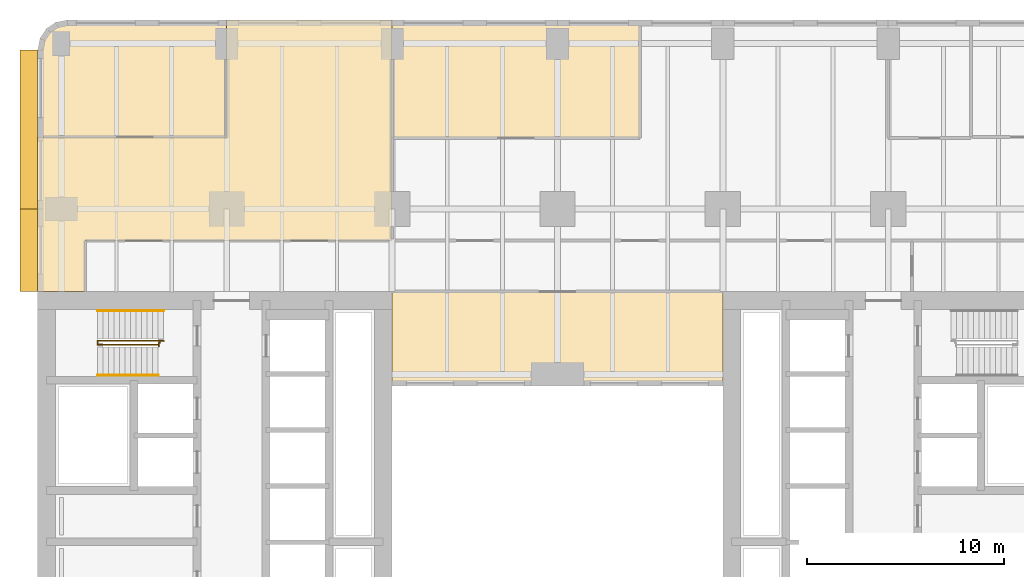
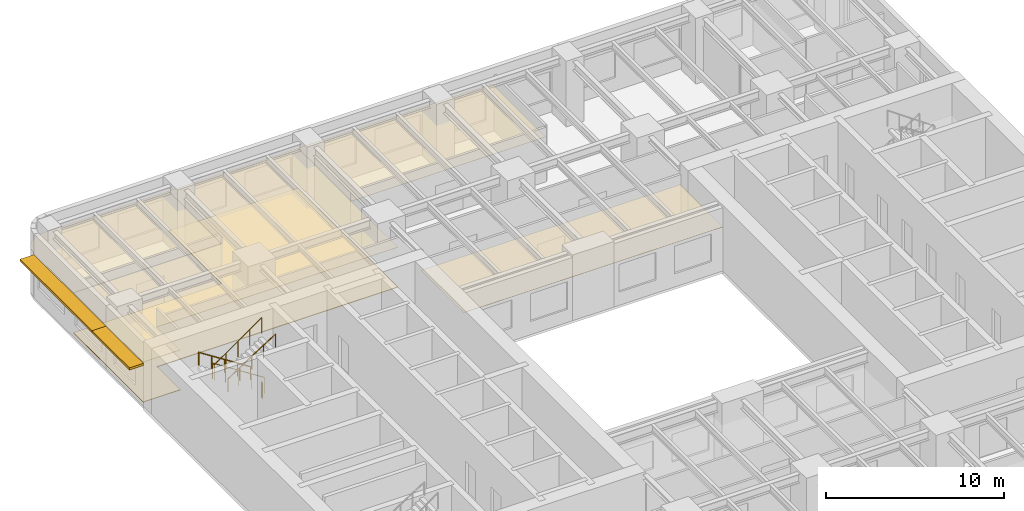
# One storey, part 11 of 12: 5 coverings, 4 railings, 2 shading devices.
"""IFC4 building model written with IfcOpenShell, lengths in metres."""

from ifc_helpers import new_model, si_unit, direction, frame, origin, origin_2d, place, context, subcontext, project, spatial, polyline, rectangle, circle, outline, extrude, material, layer, layer_set, type_object, element, save


model = new_model("IFC4")

# Units and contexts
model_context = context("Model", 3, precision=1e-05, world=origin(), true_north=direction((0.0, 1.0)))
body_context = subcontext(model_context, "Body", "Model", "MODEL_VIEW")
ifc_project = project(units=[si_unit("LENGTHUNIT", "METRE"), si_unit("AREAUNIT", "SQUARE_METRE"), si_unit("VOLUMEUNIT", "CUBIC_METRE"), si_unit("PLANEANGLEUNIT", "RADIAN"), si_unit("MASSUNIT", "GRAM", prefix="KILO")], contexts=[model_context])

# Site, building, storey
site_placement = place(None, origin())
site = spatial("IfcSite", under=ifc_project, at=site_placement, CompositionType="ELEMENT")
building_placement = place(site_placement, origin())
building = spatial("IfcBuilding", under=site, at=building_placement, Name="Claustro Exchange Tower", CompositionType="ELEMENT")
storey_placement = place(building_placement, frame((0.0, 0.0, 68.39990234375)))
storey = spatial("IfcBuildingStorey", under=building, at=storey_placement, Name="L15", CompositionType="ELEMENT", Elevation=68.39990234375)

# Coverings
ifc_material_1 = material(Name="Gypsum board ceiling", Category="gypsum board")
ifc_layer_1 = layer(ifc_material_1, 0.02490234375)
ifc_layer_set_1 = layer_set([ifc_layer_1], Name="Gypsum board ceiling")
covering_type_1 = type_object("IfcCoveringType", Name="CL2 plasterboard ceiling", PredefinedType="CEILING", material=ifc_layer_set_1)
covering_1_placement = place(storey_placement, frame((0.0, 0.0, 3.0)))
element("IfcCovering", 1, at=covering_1_placement, inside=storey, type_object=covering_type_1, Name="Ceiling CL2 L15-14", PredefinedType="CEILING", context=body_context, shape_type="SweptSolid", body=[
    extrude(outline(polyline([(33.60009765625, 33.0), (33.60009765625, 37.800048828125), (16.800048828125, 37.800048828125), (16.800048828125, 33.0), (33.60009765625, 33.0)])), origin(), (0.0, 0.0, 1.0), 0.025146484375),
])
covering_2_placement = place(storey_placement, frame((0.0, 0.0, 3.0)))
element("IfcCovering", 2, at=covering_2_placement, inside=storey, type_object=covering_type_1, Name="Ceiling CL2 L15-18", PredefinedType="CEILING", context=body_context, shape_type="SweptSolid", body=[
    extrude(outline(polyline([(-1.199951171875, 45.64990234375), (-1.199951171875, 37.800048828125), (1.199951171875, 37.800048828125), (1.199951171875, 40.39990234375), (16.800048828125, 40.39990234375), (16.800048828125, 45.60009765625), (16.800048828125, 51.60009765625), (8.39990234375, 51.60009765625), (8.39990234375, 45.64990234375), (-1.199951171875, 45.64990234375)])), origin(), (0.0, 0.0, 1.0), 0.025146484375),
])
covering_3_placement = place(storey_placement, frame((0.0, 0.0, 3.0)))
element("IfcCovering", 3, at=covering_3_placement, inside=storey, type_object=covering_type_1, Name="Ceiling CL2 L15-19", PredefinedType="CEILING", context=body_context, shape_type="SweptSolid", body=[
    extrude(outline(polyline([(-1.199951171875, 50.10009765625), (-1.199951171875, 45.64990234375), (8.39990234375, 45.64990234375), (8.39990234375, 51.60009765625), (0.300048828125, 51.60009765625), (-0.27392578125, 51.48583984375), (-0.7607421875, 51.16064453125), (-1.085693359375, 50.674072265625), (-1.199951171875, 50.10009765625)])), origin(), (0.0, 0.0, 1.0), 0.025146484375),
])
covering_4_placement = place(storey_placement, frame((0.0, 0.0, 3.0)))
element("IfcCovering", 4, at=covering_4_placement, inside=storey, type_object=covering_type_1, Name="Ceiling CL2 L15-20", PredefinedType="CEILING", context=body_context, shape_type="SweptSolid", body=[
    extrude(outline(polyline([(29.39990234375, 51.60009765625), (16.800048828125, 51.60009765625), (16.800048828125, 45.60009765625), (29.39990234375, 45.60009765625), (29.39990234375, 51.60009765625)])), origin(), (0.0, 0.0, 1.0), 0.025146484375),
])

# Railings
ifc_material_2 = material(Name="Steel balustrade, painted", Category="steel")
railing_type_1 = type_object("IfcRailingType", Name="GR2 1100 steel stair guard", PredefinedType="GUARDRAIL", material=ifc_material_2)
railing_1_placement = place(storey_placement, frame((5.199951171875, 35.300048828125, 0.18017578125)))
element("IfcRailing", 5, at=railing_1_placement, inside=storey, type_object=railing_type_1, Name="Stair well guard GR2 stair STWB L15", PredefinedType="GUARDRAIL", context=body_context, shape_type="SweptSolid", body=[
    extrude(circle(Radius=0.02392578125, at=origin_2d()), frame((0.0, 0.0, 1.076171875), z_axis=(-0.841178475377, 0.0, 0.540757591313), x_axis=(0.0, -1.0, 0.0)), (0.0, 0.0, 1.0), 3.994140625),
    extrude(circle(Radius=0.02392578125, at=origin_2d()), frame((-3.35986328125, 0.0, 3.23583984375), z_axis=(0.0, -1.0, 0.0), x_axis=(1.0, 0.0, 0.0)), (0.0, 0.0, 1.0), 0.199951171875),
    extrude(circle(Radius=0.02392578125, at=origin_2d()), frame((-3.35986328125, -0.199951171875, 3.23583984375), z_axis=(0.818728512145, 0.0, 0.574180828137), x_axis=(0.0, 1.0, 0.0)), (0.0, 0.0, 1.0), 3.76171875),
    extrude(circle(Radius=0.02099609375, at=origin_2d()), origin(), (0.0, 0.0, 1.0), 1.052001953125),
    extrude(circle(Radius=0.02099609375, at=origin_2d()), frame((-0.83984375, 0.0, 0.5400390625)), (0.0, 0.0, 1.0), 1.052001953125),
    extrude(circle(Radius=0.02099609375, at=origin_2d()), frame((-1.679931640625, 0.0, 1.080078125)), (0.0, 0.0, 1.0), 1.052001953125),
    extrude(circle(Radius=0.02099609375, at=origin_2d()), frame((-2.52001953125, 0.0, 1.619873046875)), (0.0, 0.0, 1.0), 1.052001953125),
    extrude(circle(Radius=0.02099609375, at=origin_2d()), frame((-3.35986328125, 0.0, 2.159912109375)), (0.0, 0.0, 1.0), 1.052001953125),
    extrude(circle(Radius=0.02099609375, at=origin_2d()), frame((-3.35986328125, -0.199951171875, 2.159912109375)), (0.0, 0.0, 1.0), 1.052001953125),
    extrude(circle(Radius=0.02099609375, at=origin_2d()), frame((-2.58984375, -0.199951171875, 2.699951171875)), (0.0, 0.0, 1.0), 1.052001953125),
    extrude(circle(Radius=0.02099609375, at=origin_2d()), frame((-1.81982421875, -0.199951171875, 3.23974609375)), (0.0, 0.0, 1.0), 1.052001953125),
    extrude(circle(Radius=0.02099609375, at=origin_2d()), frame((-1.050048828125, -0.199951171875, 3.77978515625)), (0.0, 0.0, 1.0), 1.052001953125),
    extrude(circle(Radius=0.02099609375, at=origin_2d()), frame((-0.280029296875, -0.199951171875, 4.31982421875)), (0.0, 0.0, 1.0), 1.052001953125),
])
railing_2_placement = place(storey_placement, frame((5.0, 35.22998046875, 0.0)))
element("IfcRailing", 6, at=railing_2_placement, inside=storey, type_object=railing_type_1, Name="Stair guard GR2 STWB L15", PredefinedType="GUARDRAIL", context=body_context, shape_type="SweptSolid", body=[
    extrude(circle(Radius=0.02392578125, at=origin_2d()), frame((0.0, 0.0, 1.076171875), z_axis=(0.0, -1.0, 0.0), x_axis=(1.0, 0.0, 0.0)), (0.0, 0.0, 1.0), 0.030029296875),
    extrude(circle(Radius=0.02392578125, at=origin_2d()), frame((0.0, -0.030029296875, 1.076171875), z_axis=(-1.0, 0.0, 0.0), x_axis=(0.0, -1.0, 0.0)), (0.0, 0.0, 1.0), 0.054931640625),
    extrude(circle(Radius=0.02392578125, at=origin_2d()), frame((-0.054931640625, -0.030029296875, 1.076171875), z_axis=(0.0, -1.0, 0.0), x_axis=(1.0, 0.0, 0.0)), (0.0, 0.0, 1.0), 0.179931640625),
    extrude(circle(Radius=0.02099609375, at=origin_2d()), origin(), (0.0, 0.0, 1.0), 1.052001953125),
    extrude(circle(Radius=0.02099609375, at=origin_2d()), frame((0.0, -0.030029296875, 0.0)), (0.0, 0.0, 1.0), 1.052001953125),
    extrude(circle(Radius=0.02099609375, at=origin_2d()), frame((-0.054931640625, -0.030029296875, 0.0)), (0.0, 0.0, 1.0), 1.052001953125),
    extrude(circle(Radius=0.02099609375, at=origin_2d()), frame((-0.054931640625, -0.2099609375, 0.0)), (0.0, 0.0, 1.0), 1.052001953125),
])
ifc_material_3 = material(Name="Stainless steel tube", Category="steel")
railing_type_2 = type_object("IfcRailingType", Name="HR1 900 stair handrail", PredefinedType="HANDRAIL", material=ifc_material_3)
railing_3_placement = place(storey_placement, frame((5.199951171875, 36.840087890625, 0.18017578125)))
element("IfcRailing", 7, at=railing_3_placement, inside=storey, type_object=railing_type_2, Name="Handrail HR1 stair STWB L15", PredefinedType="HANDRAIL", context=body_context, shape_type="SweptSolid", body=[
    extrude(circle(Radius=0.02392578125, at=origin_2d()), frame((0.0, 0.0, 0.8759765625), z_axis=(-0.841178475377, 0.0, 0.540757591313), x_axis=(0.0, -1.0, 0.0)), (0.0, 0.0, 1.0), 3.994140625),
    extrude(circle(Radius=0.02099609375, at=origin_2d()), origin(), (0.0, 0.0, 1.0), 0.851806640625),
    extrude(circle(Radius=0.02099609375, at=origin_2d()), frame((-0.83984375, 0.0, 0.5400390625)), (0.0, 0.0, 1.0), 0.851806640625),
    extrude(circle(Radius=0.02099609375, at=origin_2d()), frame((-1.679931640625, 0.0, 1.080078125)), (0.0, 0.0, 1.0), 0.851806640625),
    extrude(circle(Radius=0.02099609375, at=origin_2d()), frame((-2.52001953125, 0.0, 1.619873046875)), (0.0, 0.0, 1.0), 0.851806640625),
    extrude(circle(Radius=0.02099609375, at=origin_2d()), frame((-3.35986328125, 0.0, 2.159912109375)), (0.0, 0.0, 1.0), 0.851806640625),
])
railing_4_placement = place(storey_placement, frame((1.840087890625, 33.56005859375, 2.52001953125)))
element("IfcRailing", 8, at=railing_4_placement, inside=storey, type_object=railing_type_2, Name="Handrail HR1 stair STWB L15", PredefinedType="HANDRAIL", context=body_context, shape_type="SweptSolid", body=[
    extrude(circle(Radius=0.02392578125, at=origin_2d()), frame((0.0, 0.0, 0.8759765625), z_axis=(0.841167642724, 0.0, 0.540774441735), x_axis=(0.0, 1.0, 0.0)), (0.0, 0.0, 1.0), 3.661376953125),
    extrude(circle(Radius=0.02099609375, at=origin_2d()), origin(), (0.0, 0.0, 1.0), 0.851806640625),
    extrude(circle(Radius=0.02099609375, at=origin_2d()), frame((0.77001953125, 0.0, 0.4951171875)), (0.0, 0.0, 1.0), 0.851806640625),
    extrude(circle(Radius=0.02099609375, at=origin_2d()), frame((1.5400390625, 0.0, 0.989990234375)), (0.0, 0.0, 1.0), 0.851806640625),
    extrude(circle(Radius=0.02099609375, at=origin_2d()), frame((2.309814453125, 0.0, 1.48486328125)), (0.0, 0.0, 1.0), 0.851806640625),
    extrude(circle(Radius=0.02099609375, at=origin_2d()), frame((3.079833984375, 0.0, 1.97998046875)), (0.0, 0.0, 1.0), 0.851806640625),
])

# Covering
ifc_material_4 = material(Name="Steel-encased raised floor panels on pedestals", Category="steel")
ifc_layer_2 = layer(ifc_material_4, 0.0400390625)
ifc_layer_set_2 = layer_set([ifc_layer_2], Name="Steel-encased raised floor panels on pedestals")
covering_type_2 = type_object("IfcCoveringType", Name="RF1 300 raised access floor", PredefinedType="FLOORING", material=ifc_layer_set_2)
covering_5_placement = place(storey_placement, frame((0.0, 0.0, 0.260009765625)))
element("IfcCovering", 9, at=covering_5_placement, inside=storey, type_object=covering_type_2, Name="Raised access floor RF1 L15-18", PredefinedType="FLOORING", context=body_context, shape_type="SweptSolid", body=[
    extrude(outline(polyline([(-1.199951171875, 45.64990234375), (-1.199951171875, 37.800048828125), (1.199951171875, 37.800048828125), (1.199951171875, 40.39990234375), (16.800048828125, 40.39990234375), (16.800048828125, 45.60009765625), (16.800048828125, 51.60009765625), (8.39990234375, 51.60009765625), (8.39990234375, 45.64990234375), (-1.199951171875, 45.64990234375)])), origin(), (0.0, 0.0, 1.0), 0.0400390625),
])

# Shading devices
ifc_material_5 = material(Name="Concrete HA-40 (C40/50), precast, white cement, acid-etched", Category="concrete")
ifc_layer_3 = layer(ifc_material_5, 0.14990234375)
ifc_layer_set_3 = layer_set([ifc_layer_3], Name="Concrete HA-40 (C40/50), precast, white cement, acid-etched")
shading_device_type = type_object("IfcShadingDeviceType", Name="SS2 900 precast concrete SUNSHADE", PredefinedType="SHUTTER", material=ifc_layer_set_3)
shading_device_1_placement = place(storey_placement, frame((-1.64990234375, 39.89990234375, 2.800048828125), z_axis=(0.0, 0.0, 1.0), x_axis=(0.0, 1.0, 0.0)))
element("IfcShadingDevice", 10, at=shading_device_1_placement, inside=storey, type_object=shading_device_type, Name="Precast SUNSHADE SS2 L15", PredefinedType="SHUTTER", context=body_context, shape_type="SweptSolid", body=[
    extrude(rectangle(XDim=4.199951171875, YDim=0.89990234375, at=origin_2d()), origin(), (0.0, 0.0, 1.0), 0.14990234375),
])
shading_device_2_placement = place(storey_placement, frame((-1.64990234375, 46.04248046875, 2.800048828125), z_axis=(0.0, 0.0, 1.0), x_axis=(0.0, 1.0, 0.0)))
element("IfcShadingDevice", 11, at=shading_device_2_placement, inside=storey, type_object=shading_device_type, Name="Precast SUNSHADE SS2 L15", PredefinedType="SHUTTER", context=body_context, shape_type="SweptSolid", body=[
    extrude(rectangle(XDim=8.085205078125, YDim=0.89990234375, at=origin_2d()), origin(), (0.0, 0.0, 1.0), 0.14990234375),
])

save(model, "model.ifc")
